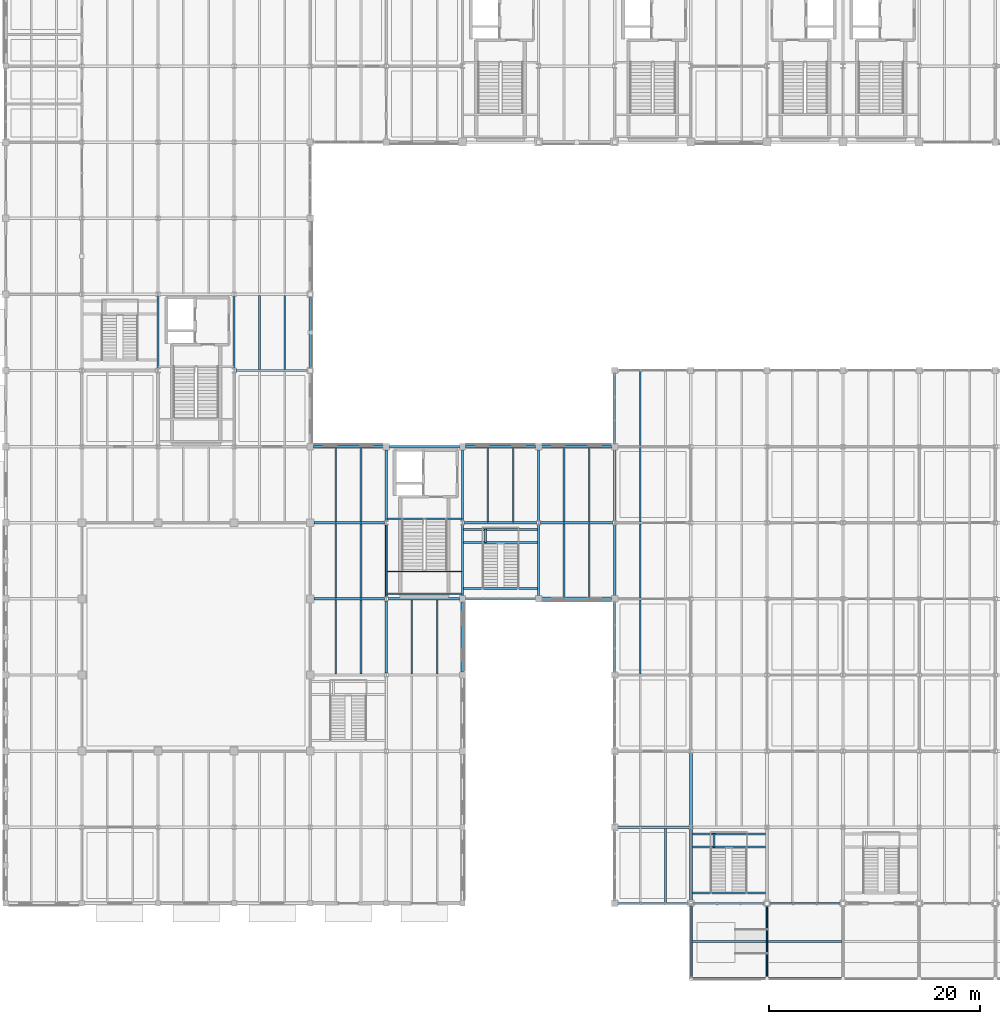
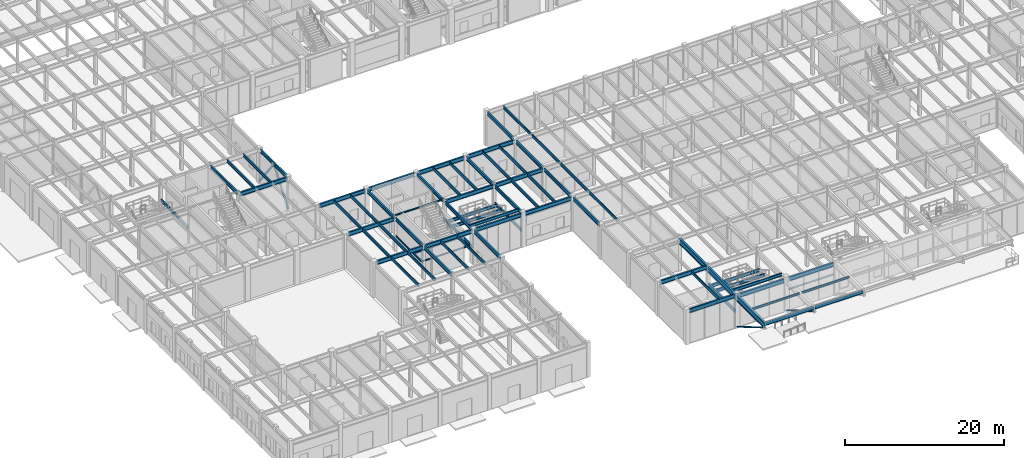
# One storey, part 20 of 97: 73 beams, 4 members.
"""IFC4 building model written with IfcOpenShell, lengths in metres."""

from ifc_helpers import new_model, si_unit, direction, frame, origin, origin_2d, place, context, subcontext, project, spatial, hollow_rectangle, hollow_circle, i_section, extrude, material, material_profile, profile_set, type_object, element, save


model = new_model("IFC4")

# Units and contexts
model_context = context("Model", 3, precision=1e-05, world=origin(), true_north=direction((0.0, 1.0)))
body_context = subcontext(model_context, "Body", "Model", "MODEL_VIEW")
ifc_project = project(units=[si_unit("LENGTHUNIT", "METRE"), si_unit("AREAUNIT", "SQUARE_METRE"), si_unit("VOLUMEUNIT", "CUBIC_METRE"), si_unit("PLANEANGLEUNIT", "RADIAN"), si_unit("MASSUNIT", "GRAM", prefix="KILO")], contexts=[model_context])

# Site, building, storey
site_placement = place(None, origin())
site = spatial("IfcSite", under=ifc_project, at=site_placement, CompositionType="ELEMENT")
building_placement = place(site_placement, origin())
building = spatial("IfcBuilding", under=site, at=building_placement, Name="Sillqori Civic Hall", CompositionType="ELEMENT")
storey_placement = place(building_placement, origin())
storey = spatial("IfcBuildingStorey", under=building, at=storey_placement, Name="L01", CompositionType="ELEMENT", Elevation=0.0)

# Beams
ifc_material_1 = material(Name="Steel ASTM A992", Category="steel")
ifc_material_profile_1 = material_profile(ifc_material_1, i_section(OverallWidth=0.19091796875, OverallDepth=0.4599609375, WebThickness=0.010009765625, FlangeThickness=0.01611328125, FilletRadius=0.012939453125, at=origin_2d()), Name="W18X55")
ifc_profile_set_1 = profile_set([ifc_material_profile_1], Name="Steel ASTM A992")
beam_type_1 = type_object("IfcBeamType", Name="BM-W18X55", PredefinedType="BEAM", material=ifc_profile_set_1)
beam_1_placement = place(storey_placement, frame((72.0, 7.493896484375, 2.27490234375), z_axis=(0.0, 1.0, 0.0), x_axis=(-1.0, 0.0, 0.0)))
element("IfcBeam", 1, at=beam_1_placement, inside=storey, type_object=beam_type_1, Name="Wedge Hall South-West Grand Stair L01-L02 landing stringer girder W", PredefinedType="BEAM", context=body_context, shape_type="SweptSolid", body=[
    extrude(i_section(OverallWidth=0.19091796875, OverallDepth=0.4599609375, WebThickness=0.010009765625, FlangeThickness=0.01611328125, FilletRadius=0.012939453125, at=origin_2d()), origin(), (0.0, 0.0, 1.0), 6.72412109375),
])
for number, where, z_axis, x_axis, name in (
    (2, (72.0400390625, 12.550048828125, 2.27490234375), (1.0, 0.0, 0.0), (0.0, 1.0, 0.0), "Wedge Hall South-West Grand Stair L01-L02 half-landing cross trimmer 1"),
    (3, (72.0400390625, 13.780029296875, 2.27490234375), (1.0, 0.0, 0.0), (0.0, 1.0, 0.0), "Wedge Hall South-West Grand Stair L01-L02 half-landing cross trimmer 2"),
):
    element("IfcBeam", number, at=place(storey_placement, frame(where, z_axis=z_axis, x_axis=x_axis)), inside=storey, type_object=beam_type_1, Name=name, PredefinedType="BEAM", context=body_context, shape_type="SweptSolid", body=[
        extrude(i_section(OverallWidth=0.19091796875, OverallDepth=0.4599609375, WebThickness=0.010009765625, FlangeThickness=0.01611328125, FilletRadius=0.012939453125, at=origin_2d()), origin(), (0.0, 0.0, 1.0), 7.119873046875),
    ])
beam_2_placement = place(storey_placement, frame((74.199951171875, 12.52001953125, 2.27490234375), z_axis=(0.0, 1.0, 0.0), x_axis=(-1.0, 0.0, 0.0)))
element("IfcBeam", 4, at=beam_2_placement, inside=storey, type_object=beam_type_1, Name="Wedge Hall South-West Grand Stair L01-L02 half-landing spine rib", PredefinedType="BEAM", context=body_context, shape_type="SweptSolid", body=[
    extrude(i_section(OverallWidth=0.19091796875, OverallDepth=0.4599609375, WebThickness=0.010009765625, FlangeThickness=0.01611328125, FilletRadius=0.012939453125, at=origin_2d()), origin(), (0.0, 0.0, 1.0), 1.2900390625),
])
beam_3_placement = place(storey_placement, frame((72.0400390625, 8.199951171875, 4.97509765625), z_axis=(1.0, 0.0, 0.0), x_axis=(0.0, 1.0, 0.0)))
element("IfcBeam", 5, at=beam_3_placement, inside=storey, type_object=beam_type_1, Name="Wedge Hall South-West Grand Stair L01-L02 upper arrival trimmer beam", PredefinedType="BEAM", context=body_context, shape_type="SweptSolid", body=[
    extrude(i_section(OverallWidth=0.19091796875, OverallDepth=0.4599609375, WebThickness=0.010009765625, FlangeThickness=0.01611328125, FilletRadius=0.012939453125, at=origin_2d()), origin(), (0.0, 0.0, 1.0), 7.119873046875),
])
for number, where, z_axis, x_axis, name in (
    (6, (50.39990234375, 36.2939453125, 2.27490234375), (0.0, 1.0, 0.0), (-1.0, 0.0, 0.0), "Council Link Concourse Stair L01-L02 landing stringer girder W"),
    (7, (57.60009765625, 36.2939453125, 2.27490234375), (0.0, 1.0, 0.0), (-1.0, 0.0, 0.0), "Council Link Concourse Stair L01-L02 landing stringer girder E"),
):
    element("IfcBeam", number, at=place(storey_placement, frame(where, z_axis=z_axis, x_axis=x_axis)), inside=storey, type_object=beam_type_1, Name=name, PredefinedType="BEAM", context=body_context, shape_type="SweptSolid", body=[
        extrude(i_section(OverallWidth=0.19091796875, OverallDepth=0.4599609375, WebThickness=0.010009765625, FlangeThickness=0.01611328125, FilletRadius=0.012939453125, at=origin_2d()), origin(), (0.0, 0.0, 1.0), 6.72802734375),
    ])
for number, where, z_axis, x_axis, name in (
    (8, (50.43994140625, 41.35009765625, 2.27490234375), (1.0, 0.0, 0.0), (0.0, 1.0, 0.0), "Council Link Concourse Stair L01-L02 half-landing cross trimmer 1"),
    (9, (50.43994140625, 42.580078125, 2.27490234375), (1.0, 0.0, 0.0), (0.0, 1.0, 0.0), "Council Link Concourse Stair L01-L02 half-landing cross trimmer 2"),
):
    element("IfcBeam", number, at=place(storey_placement, frame(where, z_axis=z_axis, x_axis=x_axis)), inside=storey, type_object=beam_type_1, Name=name, PredefinedType="BEAM", context=body_context, shape_type="SweptSolid", body=[
        extrude(i_section(OverallWidth=0.19091796875, OverallDepth=0.4599609375, WebThickness=0.010009765625, FlangeThickness=0.01611328125, FilletRadius=0.012939453125, at=origin_2d()), origin(), (0.0, 0.0, 1.0), 7.1201171875),
    ])
beam_4_placement = place(storey_placement, frame((52.60009765625, 41.320068359375, 2.27490234375), z_axis=(0.0, 1.0, 0.0), x_axis=(-1.0, 0.0, 0.0)))
element("IfcBeam", 10, at=beam_4_placement, inside=storey, type_object=beam_type_1, Name="Council Link Concourse Stair L01-L02 half-landing spine rib", PredefinedType="BEAM", context=body_context, shape_type="SweptSolid", body=[
    extrude(i_section(OverallWidth=0.19091796875, OverallDepth=0.4599609375, WebThickness=0.010009765625, FlangeThickness=0.01611328125, FilletRadius=0.012939453125, at=origin_2d()), origin(), (0.0, 0.0, 1.0), 1.2900390625),
])
beam_5_placement = place(storey_placement, frame((50.43994140625, 37.0, 4.97509765625), z_axis=(1.0, 0.0, 0.0), x_axis=(0.0, 1.0, 0.0)))
element("IfcBeam", 11, at=beam_5_placement, inside=storey, type_object=beam_type_1, Name="Council Link Concourse Stair L01-L02 upper arrival trimmer beam", PredefinedType="BEAM", context=body_context, shape_type="SweptSolid", body=[
    extrude(i_section(OverallWidth=0.19091796875, OverallDepth=0.4599609375, WebThickness=0.010009765625, FlangeThickness=0.01611328125, FilletRadius=0.012939453125, at=origin_2d()), origin(), (0.0, 0.0, 1.0), 7.1201171875),
])
beam_6_placement = place(storey_placement, frame((21.60009765625, 57.787109375, 2.27490234375), z_axis=(0.0, 1.0, 0.0), x_axis=(-1.0, 0.0, 0.0)))
element("IfcBeam", 12, at=beam_6_placement, inside=storey, type_object=beam_type_1, Name="West Committee Concourse Stair L01-L02 landing stringer girder E", PredefinedType="BEAM", context=body_context, shape_type="SweptSolid", body=[
    extrude(i_section(OverallWidth=0.19091796875, OverallDepth=0.4599609375, WebThickness=0.010009765625, FlangeThickness=0.01611328125, FilletRadius=0.012939453125, at=origin_2d()), origin(), (0.0, 0.0, 1.0), 6.825927734375),
])
ifc_material_profile_2 = material_profile(ifc_material_1, i_section(OverallWidth=0.2099609375, OverallDepth=0.532958984375, WebThickness=0.01025390625, FlangeThickness=0.015625, FilletRadius=0.013916015625, at=origin_2d()), Name="W21X62")
ifc_profile_set_2 = profile_set([ifc_material_profile_2], Name="Steel ASTM A992")
beam_type_2 = type_object("IfcBeamType", Name="BM-W21X62", PredefinedType="BEAM", material=ifc_profile_set_2)
beam_7_placement = place(storey_placement, frame((28.800048828125, 57.787109375, 4.93359375), z_axis=(0.0, 1.0, 0.0), x_axis=(-1.0, 0.0, 0.0)))
element("IfcBeam", 13, at=beam_7_placement, inside=storey, type_object=beam_type_2, Name="L01 girder Y 4-8", PredefinedType="BEAM", context=body_context, shape_type="SweptSolid", body=[
    extrude(i_section(OverallWidth=0.2099609375, OverallDepth=0.532958984375, WebThickness=0.01025390625, FlangeThickness=0.015625, FilletRadius=0.013916015625, at=origin_2d()), origin(), (0.0, 0.0, 1.0), 6.825927734375),
])
beam_8_placement = place(storey_placement, frame((36.0, 57.89404296875, 4.93359375), z_axis=(0.0, 1.0, 0.0), x_axis=(-1.0, 0.0, 0.0)))
element("IfcBeam", 14, at=beam_8_placement, inside=storey, type_object=beam_type_2, Name="L01 girder Y 5-8", PredefinedType="BEAM", context=body_context, shape_type="SweptSolid", body=[
    extrude(i_section(OverallWidth=0.2099609375, OverallDepth=0.532958984375, WebThickness=0.01025390625, FlangeThickness=0.015625, FilletRadius=0.013916015625, at=origin_2d()), origin(), (0.0, 0.0, 1.0), 6.612060546875),
])
for number, where, z_axis, x_axis, name in (
    (15, (43.199951171875, 28.97802734375, 4.93359375), (0.0, 1.0, 0.0), (-1.0, 0.0, 0.0), "L01 girder Y 6-4"),
    (16, (43.199951171875, 36.177978515625, 4.93359375), (0.0, 1.0, 0.0), (-1.0, 0.0, 0.0), "L01 girder Y 6-5"),
):
    element("IfcBeam", number, at=place(storey_placement, frame(where, z_axis=z_axis, x_axis=x_axis)), inside=storey, type_object=beam_type_2, Name=name, PredefinedType="BEAM", context=body_context, shape_type="SweptSolid", body=[
        extrude(i_section(OverallWidth=0.2099609375, OverallDepth=0.532958984375, WebThickness=0.01025390625, FlangeThickness=0.015625, FilletRadius=0.013916015625, at=origin_2d()), origin(), (0.0, 0.0, 1.0), 6.843994140625),
    ])
beam_9_placement = place(storey_placement, frame((43.199951171875, 43.3779296875, 4.93359375), z_axis=(0.0, 1.0, 0.0), x_axis=(-1.0, 0.0, 0.0)))
element("IfcBeam", 17, at=beam_9_placement, inside=storey, type_object=beam_type_2, Name="L01 girder Y 6-6", PredefinedType="BEAM", context=body_context, shape_type="SweptSolid", body=[
    extrude(i_section(OverallWidth=0.2099609375, OverallDepth=0.532958984375, WebThickness=0.01025390625, FlangeThickness=0.015625, FilletRadius=0.013916015625, at=origin_2d()), origin(), (0.0, 0.0, 1.0), 6.72802734375),
])
beam_10_placement = place(storey_placement, frame((50.39990234375, 29.093994140625, 4.93359375), z_axis=(0.0, 1.0, 0.0), x_axis=(-1.0, 0.0, 0.0)))
element("IfcBeam", 18, at=beam_10_placement, inside=storey, type_object=beam_type_2, Name="L01 girder Y 7-4", PredefinedType="BEAM", context=body_context, shape_type="SweptSolid", body=[
    extrude(i_section(OverallWidth=0.2099609375, OverallDepth=0.532958984375, WebThickness=0.01025390625, FlangeThickness=0.015625, FilletRadius=0.013916015625, at=origin_2d()), origin(), (0.0, 0.0, 1.0), 6.612060546875),
])
for number, where, z_axis, x_axis, name in (
    (19, (50.39990234375, 36.2939453125, 4.93359375), (0.0, 1.0, 0.0), (-1.0, 0.0, 0.0), "L01 girder Y 7-5"),
    (20, (50.39990234375, 43.3779296875, 4.93359375), (0.0, 1.0, 0.0), (-1.0, 0.0, 0.0), "L01 girder Y 7-6"),
    (21, (57.60009765625, 36.2939453125, 4.93359375), (0.0, 1.0, 0.0), (-1.0, 0.0, 0.0), "L01 girder Y 8-5"),
    (22, (57.60009765625, 43.3779296875, 4.93359375), (0.0, 1.0, 0.0), (-1.0, 0.0, 0.0), "L01 girder Y 8-6"),
):
    element("IfcBeam", number, at=place(storey_placement, frame(where, z_axis=z_axis, x_axis=x_axis)), inside=storey, type_object=beam_type_2, Name=name, PredefinedType="BEAM", context=body_context, shape_type="SweptSolid", body=[
        extrude(i_section(OverallWidth=0.2099609375, OverallDepth=0.532958984375, WebThickness=0.01025390625, FlangeThickness=0.015625, FilletRadius=0.013916015625, at=origin_2d()), origin(), (0.0, 0.0, 1.0), 6.72802734375),
    ])
beam_11_placement = place(storey_placement, frame((64.800048828125, 29.093994140625, 4.93359375), z_axis=(0.0, 1.0, 0.0), x_axis=(-1.0, 0.0, 0.0)))
element("IfcBeam", 23, at=beam_11_placement, inside=storey, type_object=beam_type_2, Name="L01 girder Y 9-4", PredefinedType="BEAM", context=body_context, shape_type="SweptSolid", body=[
    extrude(i_section(OverallWidth=0.2099609375, OverallDepth=0.532958984375, WebThickness=0.01025390625, FlangeThickness=0.015625, FilletRadius=0.013916015625, at=origin_2d()), origin(), (0.0, 0.0, 1.0), 6.612060546875),
])
beam_12_placement = place(storey_placement, frame((64.800048828125, 36.2939453125, 4.93359375), z_axis=(0.0, 1.0, 0.0), x_axis=(-1.0, 0.0, 0.0)))
element("IfcBeam", 24, at=beam_12_placement, inside=storey, type_object=beam_type_2, Name="L01 girder Y 9-5", PredefinedType="BEAM", context=body_context, shape_type="SweptSolid", body=[
    extrude(i_section(OverallWidth=0.2099609375, OverallDepth=0.532958984375, WebThickness=0.01025390625, FlangeThickness=0.015625, FilletRadius=0.013916015625, at=origin_2d()), origin(), (0.0, 0.0, 1.0), 6.72412109375),
])
beam_13_placement = place(storey_placement, frame((64.800048828125, 43.382080078125, 4.93359375), z_axis=(0.0, 1.0, 0.0), x_axis=(-1.0, 0.0, 0.0)))
element("IfcBeam", 25, at=beam_13_placement, inside=storey, type_object=beam_type_2, Name="L01 girder Y 9-6", PredefinedType="BEAM", context=body_context, shape_type="SweptSolid", body=[
    extrude(i_section(OverallWidth=0.2099609375, OverallDepth=0.532958984375, WebThickness=0.01025390625, FlangeThickness=0.015625, FilletRadius=0.013916015625, at=origin_2d()), origin(), (0.0, 0.0, 1.0), 6.723876953125),
])
beam_14_placement = place(storey_placement, frame((64.800048828125, 50.694091796875, 4.93359375), z_axis=(0.0, 1.0, 0.0), x_axis=(-1.0, 0.0, 0.0)))
element("IfcBeam", 26, at=beam_14_placement, inside=storey, type_object=beam_type_2, Name="L01 girder Y 9-7", PredefinedType="BEAM", context=body_context, shape_type="SweptSolid", body=[
    extrude(i_section(OverallWidth=0.2099609375, OverallDepth=0.532958984375, WebThickness=0.01025390625, FlangeThickness=0.015625, FilletRadius=0.013916015625, at=origin_2d()), origin(), (0.0, 0.0, 1.0), 6.61181640625),
])
ifc_material_profile_3 = material_profile(ifc_material_1, i_section(OverallWidth=0.22802734375, OverallDepth=0.60205078125, WebThickness=0.010498046875, FlangeThickness=0.014892578125, FilletRadius=0.014892578125, at=origin_2d()), Name="W24X68")
ifc_profile_set_3 = profile_set([ifc_material_profile_3], Name="Steel ASTM A992")
beam_type_3 = type_object("IfcBeamType", Name="BM-W24X68", PredefinedType="BEAM", material=ifc_profile_set_3)
beam_15_placement = place(storey_placement, frame((28.993408203125, 57.60009765625, 4.89892578125), z_axis=(1.0, 0.0, 0.0), x_axis=(0.0, 1.0, 0.0)))
element("IfcBeam", 27, at=beam_15_placement, inside=storey, type_object=beam_type_3, Name="L01 girder X 4-8", PredefinedType="BEAM", context=body_context, shape_type="SweptSolid", body=[
    extrude(i_section(OverallWidth=0.22802734375, OverallDepth=0.60205078125, WebThickness=0.010498046875, FlangeThickness=0.014892578125, FilletRadius=0.014892578125, at=origin_2d()), origin(), (0.0, 0.0, 1.0), 6.712646484375),
])
for number, where, z_axis, x_axis, name in (
    (28, (36.368896484375, 36.0, 4.89892578125), (1.0, 0.0, 0.0), (0.0, 1.0, 0.0), "L01 girder X 5-5"),
    (29, (36.368896484375, 43.199951171875, 4.89892578125), (1.0, 0.0, 0.0), (0.0, 1.0, 0.0), "L01 girder X 5-6"),
):
    element("IfcBeam", number, at=place(storey_placement, frame(where, z_axis=z_axis, x_axis=x_axis)), inside=storey, type_object=beam_type_3, Name=name, PredefinedType="BEAM", context=body_context, shape_type="SweptSolid", body=[
        extrude(i_section(OverallWidth=0.22802734375, OverallDepth=0.60205078125, WebThickness=0.010498046875, FlangeThickness=0.014892578125, FilletRadius=0.014892578125, at=origin_2d()), origin(), (0.0, 0.0, 1.0), 6.650634765625),
    ])
beam_16_placement = place(storey_placement, frame((36.2939453125, 50.39990234375, 4.89892578125), z_axis=(1.0, 0.0, 0.0), x_axis=(0.0, 1.0, 0.0)))
element("IfcBeam", 30, at=beam_16_placement, inside=storey, type_object=beam_type_3, Name="L01 girder X 5-7", PredefinedType="BEAM", context=body_context, shape_type="SweptSolid", body=[
    extrude(i_section(OverallWidth=0.22802734375, OverallDepth=0.60205078125, WebThickness=0.010498046875, FlangeThickness=0.014892578125, FilletRadius=0.014892578125, at=origin_2d()), origin(), (0.0, 0.0, 1.0), 6.612060546875),
])
beam_17_placement = place(storey_placement, frame((43.380615234375, 36.0, 4.89892578125), z_axis=(1.0, 0.0, 0.0), x_axis=(0.0, 1.0, 0.0)))
element("IfcBeam", 31, at=beam_17_placement, inside=storey, type_object=beam_type_3, Name="L01 girder X 6-5", PredefinedType="BEAM", context=body_context, shape_type="SweptSolid", body=[
    extrude(i_section(OverallWidth=0.22802734375, OverallDepth=0.60205078125, WebThickness=0.010498046875, FlangeThickness=0.014892578125, FilletRadius=0.014892578125, at=origin_2d()), origin(), (0.0, 0.0, 1.0), 6.725341796875),
])
beam_18_placement = place(storey_placement, frame((43.493896484375, 50.39990234375, 4.89892578125), z_axis=(1.0, 0.0, 0.0), x_axis=(0.0, 1.0, 0.0)))
element("IfcBeam", 32, at=beam_18_placement, inside=storey, type_object=beam_type_3, Name="L01 girder X 6-7", PredefinedType="BEAM", context=body_context, shape_type="SweptSolid", body=[
    extrude(i_section(OverallWidth=0.22802734375, OverallDepth=0.60205078125, WebThickness=0.010498046875, FlangeThickness=0.014892578125, FilletRadius=0.014892578125, at=origin_2d()), origin(), (0.0, 0.0, 1.0), 6.612060546875),
])
beam_19_placement = place(storey_placement, frame((50.694091796875, 36.0, 4.89892578125), z_axis=(1.0, 0.0, 0.0), x_axis=(0.0, 1.0, 0.0)))
element("IfcBeam", 33, at=beam_19_placement, inside=storey, type_object=beam_type_3, Name="L01 girder X 7-5", PredefinedType="BEAM", context=body_context, shape_type="SweptSolid", body=[
    extrude(i_section(OverallWidth=0.22802734375, OverallDepth=0.60205078125, WebThickness=0.010498046875, FlangeThickness=0.014892578125, FilletRadius=0.014892578125, at=origin_2d()), origin(), (0.0, 0.0, 1.0), 6.61181640625),
])
beam_20_placement = place(storey_placement, frame((50.58056640625, 43.199951171875, 4.89892578125), z_axis=(1.0, 0.0, 0.0), x_axis=(0.0, 1.0, 0.0)))
element("IfcBeam", 34, at=beam_20_placement, inside=storey, type_object=beam_type_3, Name="L01 girder X 7-6", PredefinedType="BEAM", context=body_context, shape_type="SweptSolid", body=[
    extrude(i_section(OverallWidth=0.22802734375, OverallDepth=0.60205078125, WebThickness=0.010498046875, FlangeThickness=0.014892578125, FilletRadius=0.014892578125, at=origin_2d()), origin(), (0.0, 0.0, 1.0), 6.8388671875),
])
beam_21_placement = place(storey_placement, frame((50.694091796875, 50.39990234375, 4.89892578125), z_axis=(1.0, 0.0, 0.0), x_axis=(0.0, 1.0, 0.0)))
element("IfcBeam", 35, at=beam_21_placement, inside=storey, type_object=beam_type_3, Name="L01 girder X 7-7", PredefinedType="BEAM", context=body_context, shape_type="SweptSolid", body=[
    extrude(i_section(OverallWidth=0.22802734375, OverallDepth=0.60205078125, WebThickness=0.010498046875, FlangeThickness=0.014892578125, FilletRadius=0.014892578125, at=origin_2d()), origin(), (0.0, 0.0, 1.0), 6.61181640625),
])
beam_22_placement = place(storey_placement, frame((57.89404296875, 36.0, 4.89892578125), z_axis=(1.0, 0.0, 0.0), x_axis=(0.0, 1.0, 0.0)))
element("IfcBeam", 36, at=beam_22_placement, inside=storey, type_object=beam_type_3, Name="L01 girder X 8-5", PredefinedType="BEAM", context=body_context, shape_type="SweptSolid", body=[
    extrude(i_section(OverallWidth=0.22802734375, OverallDepth=0.60205078125, WebThickness=0.010498046875, FlangeThickness=0.014892578125, FilletRadius=0.014892578125, at=origin_2d()), origin(), (0.0, 0.0, 1.0), 6.612060546875),
])
beam_23_placement = place(storey_placement, frame((57.780517578125, 43.199951171875, 4.89892578125), z_axis=(1.0, 0.0, 0.0), x_axis=(0.0, 1.0, 0.0)))
element("IfcBeam", 37, at=beam_23_placement, inside=storey, type_object=beam_type_3, Name="L01 girder X 8-6", PredefinedType="BEAM", context=body_context, shape_type="SweptSolid", body=[
    extrude(i_section(OverallWidth=0.22802734375, OverallDepth=0.60205078125, WebThickness=0.010498046875, FlangeThickness=0.014892578125, FilletRadius=0.014892578125, at=origin_2d()), origin(), (0.0, 0.0, 1.0), 6.828369140625),
])
for number, where, z_axis, x_axis, name in (
    (38, (57.89404296875, 50.39990234375, 4.89892578125), (1.0, 0.0, 0.0), (0.0, 1.0, 0.0), "L01 girder X 8-7"),
    (39, (65.093994140625, 7.199951171875, 4.89892578125), (1.0, 0.0, 0.0), (0.0, 1.0, 0.0), "L01 girder X 9-1"),
):
    element("IfcBeam", number, at=place(storey_placement, frame(where, z_axis=z_axis, x_axis=x_axis)), inside=storey, type_object=beam_type_3, Name=name, PredefinedType="BEAM", context=body_context, shape_type="SweptSolid", body=[
        extrude(i_section(OverallWidth=0.22802734375, OverallDepth=0.60205078125, WebThickness=0.010498046875, FlangeThickness=0.014892578125, FilletRadius=0.014892578125, at=origin_2d()), origin(), (0.0, 0.0, 1.0), 6.612060546875),
    ])
beam_24_placement = place(storey_placement, frame((65.093994140625, 14.39990234375, 4.89892578125), z_axis=(1.0, 0.0, 0.0), x_axis=(0.0, 1.0, 0.0)))
element("IfcBeam", 40, at=beam_24_placement, inside=storey, type_object=beam_type_3, Name="L01 girder X 9-2", PredefinedType="BEAM", context=body_context, shape_type="SweptSolid", body=[
    extrude(i_section(OverallWidth=0.22802734375, OverallDepth=0.60205078125, WebThickness=0.010498046875, FlangeThickness=0.014892578125, FilletRadius=0.014892578125, at=origin_2d()), origin(), (0.0, 0.0, 1.0), 6.715087890625),
])
for number, where, z_axis, x_axis, name in (
    (41, (72.2939453125, 7.199951171875, 4.718994140625), (1.0, 0.0, 0.0), (0.0, 1.0, 0.0), "L01 girder X 10-1"),
    (42, (79.493896484375, 7.199951171875, 4.718994140625), (1.0, 0.0, 0.0), (0.0, 1.0, 0.0), "L01 girder X 11-1"),
):
    element("IfcBeam", number, at=place(storey_placement, frame(where, z_axis=z_axis, x_axis=x_axis)), inside=storey, type_object=beam_type_3, Name=name, PredefinedType="BEAM", context=body_context, shape_type="SweptSolid", body=[
        extrude(i_section(OverallWidth=0.22802734375, OverallDepth=0.60205078125, WebThickness=0.010498046875, FlangeThickness=0.014892578125, FilletRadius=0.014892578125, at=origin_2d()), origin(), (0.0, 0.0, 1.0), 6.612060546875),
    ])
ifc_material_profile_4 = material_profile(ifc_material_1, i_section(OverallWidth=0.2919921875, OverallDepth=0.845947265625, WebThickness=0.015380859375, FlangeThickness=0.0244140625, FilletRadius=0.01806640625, at=origin_2d()), Name="W33X141")
ifc_profile_set_4 = profile_set([ifc_material_profile_4], Name="Steel ASTM A992")
beam_type_4 = type_object("IfcBeamType", Name="BM-W33X141", PredefinedType="BEAM", material=ifc_profile_set_4)
beam_25_placement = place(storey_placement, frame((72.0, 21.47998046875, 4.596923828125), z_axis=(0.0, -1.0, 0.0), x_axis=(1.0, 0.0, 0.0)))
element("IfcBeam", 43, at=beam_25_placement, inside=storey, type_object=beam_type_4, Name="Entrance canopy back-spanned primary girder 10", PredefinedType="BEAM", context=body_context, shape_type="SweptSolid", body=[
    extrude(i_section(OverallWidth=0.2919921875, OverallDepth=0.845947265625, WebThickness=0.015380859375, FlangeThickness=0.0244140625, FilletRadius=0.01806640625, at=origin_2d()), origin(), (0.0, 0.0, 1.0), 21.429931640625),
])

# Members
ifc_material_2 = material(Name="Steel ASTM A500 Grade C", Category="steel")
ifc_material_profile_5 = material_profile(ifc_material_2, hollow_rectangle(XDim=0.25, YDim=0.25, WallThickness=0.011962890625, InnerFilletRadius=0.011962890625, OuterFilletRadius=0.02392578125, at=origin_2d()), Name="HSS250X250X12")
ifc_profile_set_5 = profile_set([ifc_material_profile_5], Name="Steel ASTM A500 Grade C")
member_type_1 = type_object("IfcMemberType", Name="BR-HSS250", PredefinedType="BRACE", material=ifc_profile_set_5)
member_1_placement = place(storey_placement, frame((36.0, 57.60009765625, 0.14990234375), z_axis=(0.0, 0.604003582682, 0.796981600859), x_axis=(-1.0, 0.0, 0.0)))
element("IfcMember", 44, at=member_1_placement, inside=storey, type_object=member_type_1, Name="L01 seismic chevron brace L Y5-8", PredefinedType="BRACE", context=body_context, shape_type="SweptSolid", body=[
    extrude(hollow_rectangle(XDim=0.25, YDim=0.25, WallThickness=0.011962890625, InnerFilletRadius=0.011962890625, OuterFilletRadius=0.02392578125, at=origin_2d()), origin(), (0.0, 0.0, 1.0), 5.9599609375),
])
member_2_placement = place(storey_placement, frame((36.0, 64.800048828125, 0.14990234375), z_axis=(0.0, -0.60402960076, 0.796961882028), x_axis=(1.0, 0.0, 0.0)))
element("IfcMember", 45, at=member_2_placement, inside=storey, type_object=member_type_1, Name="L01 seismic chevron brace R Y5-8", PredefinedType="BRACE", context=body_context, shape_type="SweptSolid", body=[
    extrude(hollow_rectangle(XDim=0.25, YDim=0.25, WallThickness=0.011962890625, InnerFilletRadius=0.011962890625, OuterFilletRadius=0.02392578125, at=origin_2d()), origin(), (0.0, 0.0, 1.0), 5.960205078125),
])

# Beams
ifc_material_profile_6 = material_profile(ifc_material_1, i_section(OverallWidth=0.153076171875, OverallDepth=0.455078125, WebThickness=0.008056640625, FlangeThickness=0.01318359375, FilletRadius=0.012939453125, at=origin_2d()), Name="W18X40")
ifc_profile_set_6 = profile_set([ifc_material_profile_6], Name="Steel ASTM A992")
beam_type_5 = type_object("IfcBeamType", Name="JS-W18X40", PredefinedType="JOIST", material=ifc_profile_set_6)
for number, where, z_axis, x_axis, name in (
    (46, (31.199951171875, 57.695068359375, 4.972412109375), (0.0, 1.0, 0.0), (-1.0, 0.0, 0.0), "L01 composite joist 4-8.1"),
    (47, (33.60009765625, 57.695068359375, 4.972412109375), (0.0, 1.0, 0.0), (-1.0, 0.0, 0.0), "L01 composite joist 4-8.2"),
    (48, (38.39990234375, 28.89501953125, 4.972412109375), (0.0, 1.0, 0.0), (-1.0, 0.0, 0.0), "L01 composite joist 5-4.1"),
    (49, (40.800048828125, 28.89501953125, 4.972412109375), (0.0, 1.0, 0.0), (-1.0, 0.0, 0.0), "L01 composite joist 5-4.2"),
    (50, (38.39990234375, 36.094970703125, 4.972412109375), (0.0, 1.0, 0.0), (-1.0, 0.0, 0.0), "L01 composite joist 5-5.1"),
    (51, (40.800048828125, 36.094970703125, 4.972412109375), (0.0, 1.0, 0.0), (-1.0, 0.0, 0.0), "L01 composite joist 5-5.2"),
    (52, (38.39990234375, 43.294921875, 4.972412109375), (0.0, 1.0, 0.0), (-1.0, 0.0, 0.0), "L01 composite joist 5-6.1"),
    (53, (40.800048828125, 43.294921875, 4.972412109375), (0.0, 1.0, 0.0), (-1.0, 0.0, 0.0), "L01 composite joist 5-6.2"),
    (54, (45.60009765625, 28.89501953125, 4.972412109375), (0.0, 1.0, 0.0), (-1.0, 0.0, 0.0), "L01 composite joist 6-4.1"),
    (55, (48.0, 28.89501953125, 4.972412109375), (0.0, 1.0, 0.0), (-1.0, 0.0, 0.0), "L01 composite joist 6-4.2"),
    (56, (52.800048828125, 43.294921875, 4.972412109375), (0.0, 1.0, 0.0), (-1.0, 0.0, 0.0), "L01 composite joist 7-6.1"),
    (57, (55.199951171875, 43.294921875, 4.972412109375), (0.0, 1.0, 0.0), (-1.0, 0.0, 0.0), "L01 composite joist 7-6.2"),
    (58, (60.0, 36.094970703125, 4.972412109375), (0.0, 1.0, 0.0), (-1.0, 0.0, 0.0), "L01 composite joist 8-5.1"),
    (59, (62.39990234375, 36.094970703125, 4.972412109375), (0.0, 1.0, 0.0), (-1.0, 0.0, 0.0), "L01 composite joist 8-5.2"),
    (60, (60.0, 43.294921875, 4.972412109375), (0.0, 1.0, 0.0), (-1.0, 0.0, 0.0), "L01 composite joist 8-6.1"),
    (61, (62.39990234375, 43.294921875, 4.972412109375), (0.0, 1.0, 0.0), (-1.0, 0.0, 0.0), "L01 composite joist 8-6.2"),
    (62, (69.60009765625, 7.294921875, 4.972412109375), (0.0, 1.0, 0.0), (-1.0, 0.0, 0.0), "L01 composite joist 9-1.2"),
    (63, (67.199951171875, 28.89501953125, 4.972412109375), (0.0, 1.0, 0.0), (-1.0, 0.0, 0.0), "L01 composite joist 9-4.1"),
    (64, (67.199951171875, 36.094970703125, 4.972412109375), (0.0, 1.0, 0.0), (-1.0, 0.0, 0.0), "L01 composite joist 9-5.1"),
    (65, (67.199951171875, 43.294921875, 4.972412109375), (0.0, 1.0, 0.0), (-1.0, 0.0, 0.0), "L01 composite joist 9-6.1"),
):
    element("IfcBeam", number, at=place(storey_placement, frame(where, z_axis=z_axis, x_axis=x_axis)), inside=storey, type_object=beam_type_5, Name=name, PredefinedType="JOIST", context=body_context, shape_type="SweptSolid", body=[
        extrude(i_section(OverallWidth=0.153076171875, OverallDepth=0.455078125, WebThickness=0.008056640625, FlangeThickness=0.01318359375, FilletRadius=0.012939453125, at=origin_2d()), origin(), (0.0, 0.0, 1.0), 7.010009765625),
    ])
beam_26_placement = place(storey_placement, frame((67.199951171875, 50.4951171875, 4.972412109375), z_axis=(0.0, 1.0, 0.0), x_axis=(-1.0, 0.0, 0.0)))
element("IfcBeam", 66, at=beam_26_placement, inside=storey, type_object=beam_type_5, Name="L01 composite joist 9-7.1", PredefinedType="JOIST", context=body_context, shape_type="SweptSolid", body=[
    extrude(i_section(OverallWidth=0.153076171875, OverallDepth=0.455078125, WebThickness=0.008056640625, FlangeThickness=0.01318359375, FilletRadius=0.012939453125, at=origin_2d()), origin(), (0.0, 0.0, 1.0), 7.009765625),
])
ifc_material_profile_7 = material_profile(ifc_material_1, i_section(OverallWidth=0.133056640625, OverallDepth=0.20703125, WebThickness=0.005859375, FlangeThickness=0.00830078125, FilletRadius=0.008056640625, at=origin_2d()), Name="W8X18")
ifc_profile_set_7 = profile_set([ifc_material_profile_7], Name="Steel ASTM A992")
beam_type_6 = type_object("IfcBeamType", Name="LN-W8X18", PredefinedType="LINTEL", material=ifc_profile_set_7)
beam_27_placement = place(storey_placement, frame((79.493896484375, 7.199951171875, 3.14990234375), z_axis=(1.0, 0.0, 0.0), x_axis=(0.0, 1.0, 0.0)))
element("IfcBeam", 67, at=beam_27_placement, inside=storey, type_object=beam_type_6, Name="Main civic portal W steel lintel", PredefinedType="LINTEL", context=body_context, shape_type="SweptSolid", body=[
    extrude(i_section(OverallWidth=0.133056640625, OverallDepth=0.20703125, WebThickness=0.005859375, FlangeThickness=0.00830078125, FilletRadius=0.008056640625, at=origin_2d()), origin(), (0.0, 0.0, 1.0), 6.612060546875),
])
beam_28_placement = place(storey_placement, frame((43.199951171875, 36.177978515625, 2.382568359375), z_axis=(0.0, 1.0, 0.0), x_axis=(-1.0, 0.0, 0.0)))
element("IfcBeam", 68, at=beam_28_placement, inside=storey, type_object=beam_type_6, Name="L01 grid 6 stair landing stringer 1", PredefinedType="LINTEL", context=body_context, shape_type="SweptSolid", body=[
    extrude(i_section(OverallWidth=0.133056640625, OverallDepth=0.20703125, WebThickness=0.005859375, FlangeThickness=0.00830078125, FilletRadius=0.008056640625, at=origin_2d()), origin(), (0.0, 0.0, 1.0), 6.843994140625),
])
for number, where, z_axis, x_axis, name in (
    (69, (43.25, 36.4951171875, 2.382568359375), (1.0, 0.0, 0.0), (0.0, 1.0, 0.0), "L01 C1 stair half-landing steel ledger 1.1"),
    (70, (43.25, 38.590087890625, 2.382568359375), (1.0, 0.0, 0.0), (0.0, 1.0, 0.0), "L01 C1 stair half-landing steel ledger 1.2"),
    (71, (43.25, 43.570068359375, 5.1025390625), (1.0, 0.0, 0.0), (0.0, 1.0, 0.0), "L01 C1 stair upper arrival steel trimmer"),
):
    element("IfcBeam", number, at=place(storey_placement, frame(where, z_axis=z_axis, x_axis=x_axis)), inside=storey, type_object=beam_type_6, Name=name, PredefinedType="LINTEL", context=body_context, shape_type="SweptSolid", body=[
        extrude(i_section(OverallWidth=0.133056640625, OverallDepth=0.20703125, WebThickness=0.005859375, FlangeThickness=0.00830078125, FilletRadius=0.008056640625, at=origin_2d()), origin(), (0.0, 0.0, 1.0), 7.10009765625),
    ])
ifc_material_profile_8 = material_profile(ifc_material_1, i_section(OverallWidth=0.1650390625, OverallDepth=0.31005859375, WebThickness=0.005859375, FlangeThickness=0.009765625, FilletRadius=0.010009765625, at=origin_2d()), Name="W12X26")
ifc_profile_set_8 = profile_set([ifc_material_profile_8], Name="Steel ASTM A992")
beam_type_7 = type_object("IfcBeamType", Name="PR-W12X26", PredefinedType="JOIST", material=ifc_profile_set_8)
for number, where, z_axis, x_axis, name in (
    (72, (72.10009765625, 3.60009765625, 4.864990234375), (1.0, 0.0, 0.0), (0.0, 1.0, 0.0), "Entrance canopy secondary coffer beam 10"),
    (73, (79.300048828125, 3.60009765625, 4.864990234375), (1.0, 0.0, 0.0), (0.0, 1.0, 0.0), "Entrance canopy secondary coffer beam 11"),
):
    element("IfcBeam", number, at=place(storey_placement, frame(where, z_axis=z_axis, x_axis=x_axis)), inside=storey, type_object=beam_type_7, Name=name, PredefinedType="JOIST", context=body_context, shape_type="SweptSolid", body=[
        extrude(i_section(OverallWidth=0.1650390625, OverallDepth=0.31005859375, WebThickness=0.005859375, FlangeThickness=0.009765625, FilletRadius=0.010009765625, at=origin_2d()), origin(), (0.0, 0.0, 1.0), 7.0),
    ])
ifc_material_profile_9 = material_profile(ifc_material_1, i_section(OverallWidth=0.166015625, OverallDepth=0.528076171875, WebThickness=0.009765625, FlangeThickness=0.013671875, FilletRadius=0.013916015625, at=origin_2d()), Name="W21X50")
ifc_profile_set_9 = profile_set([ifc_material_profile_9], Name="Steel ASTM A992")
beam_type_8 = type_object("IfcBeamType", Name="SP-W21X50", PredefinedType="SPANDREL", material=ifc_profile_set_9)
for number, where, z_axis, x_axis, name in (
    (74, (72.10009765625, 0.1201171875, 4.756103515625), (1.0, 0.0, 0.0), (0.0, 1.0, 0.0), "Entrance canopy fascia edge beam 10"),
    (75, (79.300048828125, 0.1201171875, 4.756103515625), (1.0, 0.0, 0.0), (0.0, 1.0, 0.0), "Entrance canopy fascia edge beam 11"),
):
    element("IfcBeam", number, at=place(storey_placement, frame(where, z_axis=z_axis, x_axis=x_axis)), inside=storey, type_object=beam_type_8, Name=name, PredefinedType="SPANDREL", context=body_context, shape_type="SweptSolid", body=[
        extrude(i_section(OverallWidth=0.166015625, OverallDepth=0.528076171875, WebThickness=0.009765625, FlangeThickness=0.013671875, FilletRadius=0.013916015625, at=origin_2d()), origin(), (0.0, 0.0, 1.0), 7.0),
    ])

# Members
ifc_material_profile_10 = material_profile(ifc_material_2, hollow_circle(Radius=0.109619140625, WallThickness=0.011962890625, at=origin_2d()), Name="CHS219X12")
ifc_profile_set_10 = profile_set([ifc_material_profile_10], Name="Steel ASTM A500 Grade C")
member_type_2 = type_object("IfcMemberType", Name="ST-CHS219", PredefinedType="STRUT", material=ifc_profile_set_10)
for number, where, z_axis, x_axis, name in (
    (76, (72.0, 7.199951171875, 0.050048828125), (0.0, -0.861963249941, 0.506970764198), (1.0, 0.0, 0.0), "Entrance canopy raking strut 10"),
    (77, (79.199951171875, 7.199951171875, 0.050048828125), (0.0, -0.861963249941, 0.506970764198), (1.0, 0.0, 0.0), "Entrance canopy raking strut 11"),
):
    element("IfcMember", number, at=place(storey_placement, frame(where, z_axis=z_axis, x_axis=x_axis)), inside=storey, type_object=member_type_2, Name=name, PredefinedType="STRUT", context=body_context, shape_type="SweptSolid", body=[
        extrude(hollow_circle(Radius=0.109619140625, WallThickness=0.011962890625, at=origin_2d()), origin(), (0.0, 0.0, 1.0), 8.213623046875),
    ])

save(model, "model.ifc")
